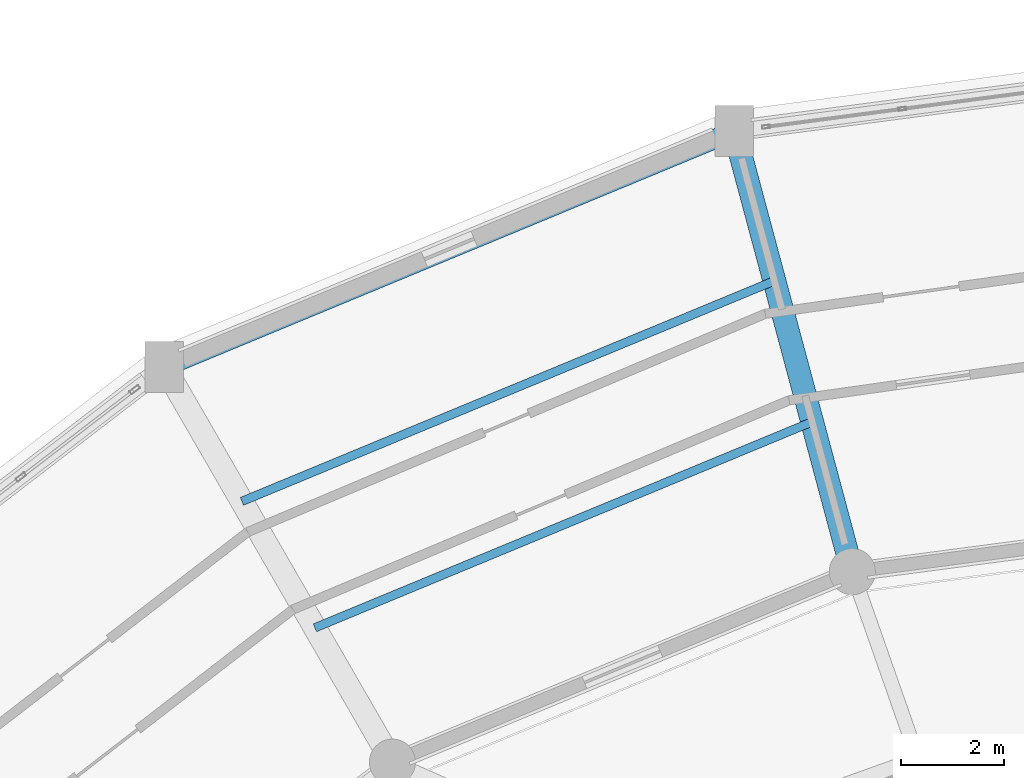
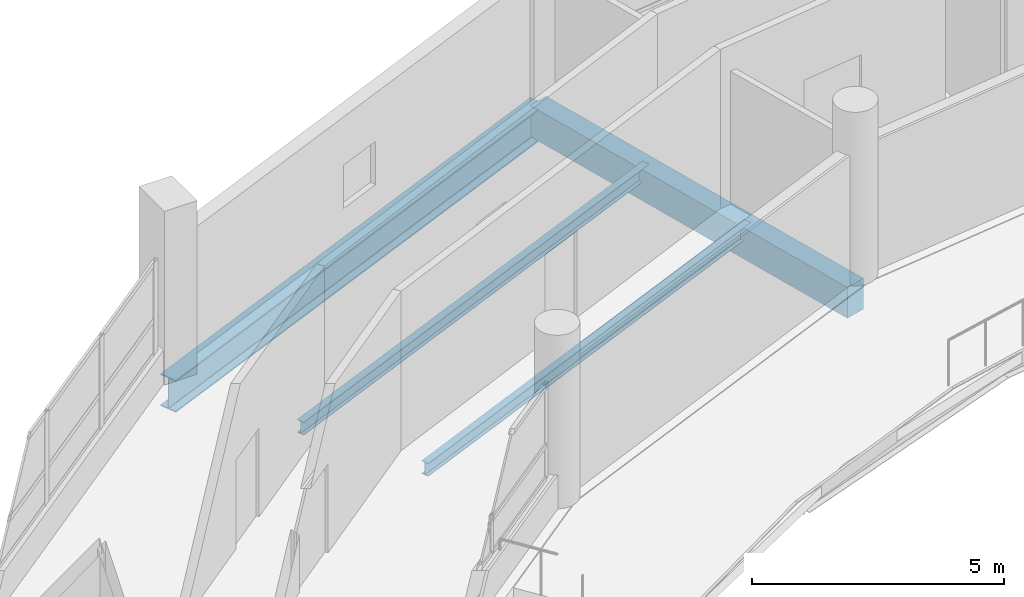
# One storey, part 57 of 128: 4 beams.
"""IFC4 building model written with IfcOpenShell, lengths in metres."""

from ifc_helpers import new_model, si_unit, direction, frame, origin, origin_2d, place, context, subcontext, project, spatial, rectangle, i_section, extrude, material, material_profile, profile_set, type_object, element, save


model = new_model("IFC4")

# Units and contexts
model_context = context("Model", 3, precision=1e-05, world=origin(), true_north=direction((0.0, 1.0)))
body_context = subcontext(model_context, "Body", "Model", "MODEL_VIEW")
ifc_project = project(units=[si_unit("LENGTHUNIT", "METRE"), si_unit("AREAUNIT", "SQUARE_METRE"), si_unit("VOLUMEUNIT", "CUBIC_METRE"), si_unit("PLANEANGLEUNIT", "RADIAN"), si_unit("MASSUNIT", "GRAM", prefix="KILO")], contexts=[model_context])

# Site, building, storey
site_placement = place(None, origin())
site = spatial("IfcSite", under=ifc_project, at=site_placement, CompositionType="ELEMENT")
building_placement = place(site_placement, origin())
building = spatial("IfcBuilding", under=site, at=building_placement, Name="Vespera Passage Community Centre", CompositionType="ELEMENT")
storey_placement = place(building_placement, frame((0.0, 0.0, 4.5)))
storey = spatial("IfcBuildingStorey", under=building, at=storey_placement, Name="L01", CompositionType="ELEMENT", Elevation=4.5)

# Beams
ifc_material_1 = material(Name="Concrete f'c 35 MPa", Category="concrete")
ifc_material_profile_1 = material_profile(ifc_material_1, rectangle(XDim=0.449951171875, YDim=0.75, at=origin_2d()), Name="RC450X750")
ifc_profile_set_1 = profile_set([ifc_material_profile_1], Name="Concrete f'c 35 MPa")
beam_type_1 = type_object("IfcBeamType", Name="BM-G-450X750", PredefinedType="BEAM", material=ifc_profile_set_1)
beam_1_placement = place(storey_placement, frame((68.371826171875, 101.432373046875, -0.614990234375), z_axis=(-0.258811497245, 0.9659278487, 0.0), x_axis=(-0.9659278487, -0.258811497245, 0.0)))
element("IfcBeam", 1, at=beam_1_placement, inside=storey, type_object=beam_type_1, Name="V4 L01 Radial Girder 7", PredefinedType="BEAM", context=body_context, shape_type="SweptSolid", body=[
    extrude(rectangle(XDim=0.449951171875, YDim=0.75, at=origin_2d()), origin(), (0.0, 0.0, 1.0), 8.900146484375),
])
ifc_material_2 = material(Name="Steel ASTM A992 Grade 50", Category="steel")
ifc_material_profile_2 = material_profile(ifc_material_2, i_section(OverallWidth=0.16650390625, OverallDepth=0.3173828125, WebThickness=0.007568359375, FlangeThickness=0.01318359375, FilletRadius=0.007568359375, at=origin_2d()), Name="W12X35")
ifc_profile_set_2 = profile_set([ifc_material_profile_2], Name="Steel ASTM A992 Grade 50")
beam_type_2 = type_object("IfcBeamType", Name="BM-J-W12X35", PredefinedType="JOIST", material=ifc_profile_set_2)
beam_2_placement = place(storey_placement, frame((67.588623046875, 104.355224609375, -0.398681640625), z_axis=(-0.92387968492, -0.382683064417, 0.0), x_axis=(0.382683064417, -0.92387968492, 0.0)))
element("IfcBeam", 2, at=beam_2_placement, inside=storey, type_object=beam_type_2, Name="V4 L01 Floor Joist 7.1", PredefinedType="JOIST", context=body_context, shape_type="SweptSolid", body=[
    extrude(i_section(OverallWidth=0.16650390625, OverallDepth=0.3173828125, WebThickness=0.007568359375, FlangeThickness=0.01318359375, FilletRadius=0.007568359375, at=origin_2d()), origin(), (0.0, 0.0, 1.0), 10.5009765625),
])
beam_3_placement = place(storey_placement, frame((66.8515625, 107.106201171875, -0.398681640625), z_axis=(-0.923884257257, -0.38267202562, 0.0), x_axis=(0.38267202562, -0.923884257257, 0.0)))
element("IfcBeam", 3, at=beam_3_placement, inside=storey, type_object=beam_type_2, Name="V4 L01 Floor Joist 7.2", PredefinedType="JOIST", context=body_context, shape_type="SweptSolid", body=[
    extrude(i_section(OverallWidth=0.16650390625, OverallDepth=0.3173828125, WebThickness=0.007568359375, FlangeThickness=0.01318359375, FilletRadius=0.007568359375, at=origin_2d()), origin(), (0.0, 0.0, 1.0), 11.24462890625),
])
ifc_material_3 = material(Name="Steel ASTM A992 Grade 50", Category="steel")
ifc_material_profile_3 = material_profile(ifc_material_3, i_section(OverallWidth=0.382080078125, OverallDepth=0.779296875, WebThickness=0.01806640625, FlangeThickness=0.030029296875, FilletRadius=0.0166015625, at=origin_2d()), Name="W30X191")
ifc_profile_set_3 = profile_set([ifc_material_profile_3], Name="Steel ASTM A992 Grade 50")
beam_type_3 = type_object("IfcBeamType", Name="BM-SP-W30X191E", PredefinedType="SPANDREL", material=ifc_profile_set_3)
beam_4_placement = place(storey_placement, frame((66.068359375, 110.029296875, -0.629638671875), z_axis=(-0.923877379647, -0.382688629799, 0.0), x_axis=(0.382688629799, -0.923877379647, 0.0)))
element("IfcBeam", 4, at=beam_4_placement, inside=storey, type_object=beam_type_3, Name="V4 L01 Outer Spandrel 7", PredefinedType="SPANDREL", context=body_context, shape_type="SweptSolid", body=[
    extrude(i_section(OverallWidth=0.382080078125, OverallDepth=0.779296875, WebThickness=0.01806640625, FlangeThickness=0.030029296875, FilletRadius=0.0166015625, at=origin_2d()), origin(), (0.0, 0.0, 1.0), 12.034423828125),
])

save(model, "model.ifc")
